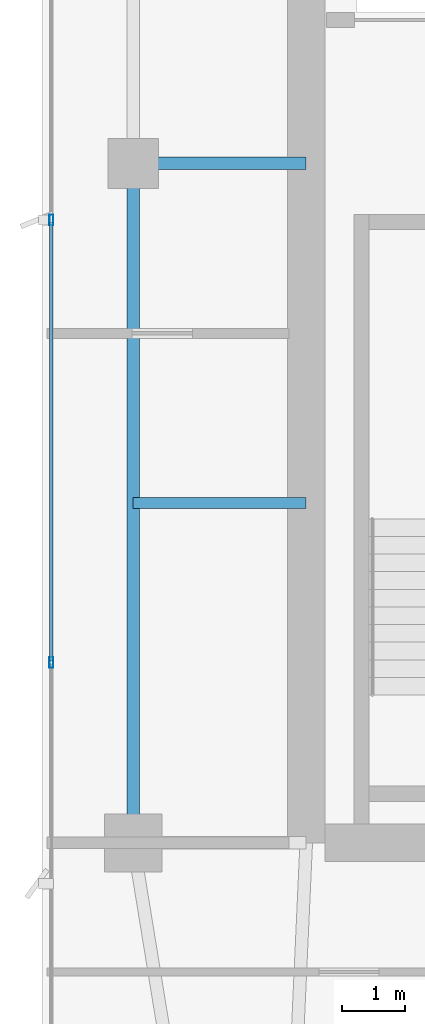
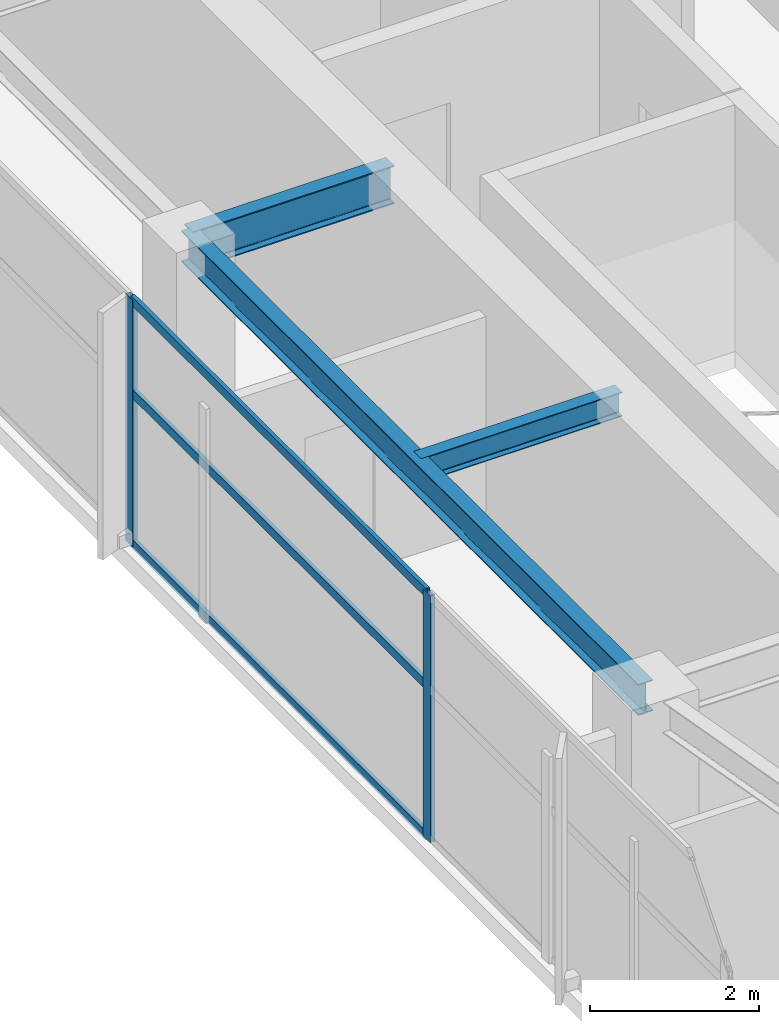
# One storey, part 10 of 27: 5 members, 3 beams, 1 element without a shape of its own.
"""IFC4 building model written with IfcOpenShell, lengths in metres."""

from ifc_helpers import new_model, si_unit, direction, frame, origin, origin_2d, place, context, subcontext, project, spatial, hollow_rectangle, i_section, extrude, material, layer, layer_set, material_profile, profile_set, type_object, element, aggregate, save


model = new_model("IFC4")

# Units and contexts
model_context = context("Model", 3, precision=1e-05, world=origin(), true_north=direction((0.0, 1.0)))
body_context = subcontext(model_context, "Body", "Model", "MODEL_VIEW")
ifc_project = project(units=[si_unit("LENGTHUNIT", "METRE"), si_unit("AREAUNIT", "SQUARE_METRE"), si_unit("VOLUMEUNIT", "CUBIC_METRE"), si_unit("PLANEANGLEUNIT", "RADIAN"), si_unit("MASSUNIT", "GRAM", prefix="KILO")], contexts=[model_context])

# Site, building, storey
site_placement = place(None, origin())
site = spatial("IfcSite", under=ifc_project, at=site_placement, CompositionType="ELEMENT")
building_placement = place(site_placement, origin())
building = spatial("IfcBuilding", under=site, at=building_placement, Name="Calvorn Quay Hotel", CompositionType="ELEMENT")
storey_placement = place(building_placement, frame((0.0, 0.0, 298.699951171875)))
storey = spatial("IfcBuildingStorey", under=building, at=storey_placement, Name="L74", CompositionType="ELEMENT", Elevation=298.699951171875)

# Beams
ifc_material_1 = material(Name="Steel Q355B", Category="steel")
ifc_material_profile_1 = material_profile(ifc_material_1, i_section(OverallWidth=0.199951171875, OverallDepth=0.550048828125, WebThickness=0.010009765625, FlangeThickness=0.01611328125, FilletRadius=0.01806640625, at=origin_2d()), Name="HN550x200x10x16")
ifc_profile_set_1 = profile_set([ifc_material_profile_1], Name="Steel Q355B")
beam_type_1 = type_object("IfcBeamType", Name="BM-GIRD-UPP", PredefinedType="BEAM", material=ifc_profile_set_1)
beam_1_placement = place(storey_placement, frame((1.449951171875, 27.60009765625, 3.26513671875), z_axis=(1.0, 0.0, 0.0), x_axis=(0.0, 1.0, 0.0)))
element("IfcBeam", 1, at=beam_1_placement, inside=storey, type_object=beam_type_1, Name="Beam BG-L74-W2", PredefinedType="BEAM", context=body_context, shape_type="SweptSolid", body=[
    extrude(i_section(OverallWidth=0.199951171875, OverallDepth=0.550048828125, WebThickness=0.010009765625, FlangeThickness=0.01611328125, FilletRadius=0.01806640625, at=origin_2d()), origin(), (0.0, 0.0, 1.0), 2.75),
])
ifc_material_2 = material(Name="Steel Q355B", Category="steel")
ifc_material_profile_2 = material_profile(ifc_material_2, i_section(OverallWidth=0.175048828125, OverallDepth=0.35009765625, WebThickness=0.007080078125, FlangeThickness=0.010986328125, FilletRadius=0.013916015625, at=origin_2d()), Name="HN350x175x7x11")
ifc_profile_set_2 = profile_set([ifc_material_profile_2], Name="Steel Q355B")
beam_type_2 = type_object("IfcBeamType", Name="BM-JOIST-SEC", PredefinedType="JOIST", material=ifc_profile_set_2)
beam_2_placement = place(storey_placement, frame((1.449951171875, 22.199951171875, 3.364990234375), z_axis=(1.0, 0.0, 0.0), x_axis=(0.0, 1.0, 0.0)))
element("IfcBeam", 2, at=beam_2_placement, inside=storey, type_object=beam_type_2, Name="Beam BJ-L74-W3", PredefinedType="JOIST", context=body_context, shape_type="SweptSolid", body=[
    extrude(i_section(OverallWidth=0.175048828125, OverallDepth=0.35009765625, WebThickness=0.007080078125, FlangeThickness=0.010986328125, FilletRadius=0.013916015625, at=origin_2d()), origin(), (0.0, 0.0, 1.0), 2.75),
])
ifc_material_3 = material(Name="Steel Q355B", Category="steel")
ifc_material_profile_3 = material_profile(ifc_material_3, i_section(OverallWidth=0.199951171875, OverallDepth=0.449951171875, WebThickness=0.009033203125, FlangeThickness=0.013916015625, FilletRadius=0.01611328125, at=origin_2d()), Name="HN450x200x9x14")
ifc_profile_set_3 = profile_set([ifc_material_profile_3], Name="Steel Q355B")
beam_type_3 = type_object("IfcBeamType", Name="BM-SPANDREL-Z3", PredefinedType="SPANDREL", material=ifc_profile_set_3)
beam_3_placement = place(storey_placement, frame((1.449951171875, 16.800048828125, 3.31494140625), z_axis=(0.0, 1.0, 0.0), x_axis=(-1.0, 0.0, 0.0)))
element("IfcBeam", 3, at=beam_3_placement, inside=storey, type_object=beam_type_3, Name="Beam BSP-L74-W2", PredefinedType="SPANDREL", context=body_context, shape_type="SweptSolid", body=[
    extrude(i_section(OverallWidth=0.199951171875, OverallDepth=0.449951171875, WebThickness=0.009033203125, FlangeThickness=0.013916015625, FilletRadius=0.01611328125, at=origin_2d()), origin(), (0.0, 0.0, 1.0), 10.800048828125),
])

# Curtain wall, members
ifc_material_4 = material(Name="Champagne Bronze Anodised Aluminium and Low-E Glass", Category="aluminium")
ifc_layer = layer(ifc_material_4, 0.219970703125)
ifc_layer_set = layer_set([ifc_layer], Name="CW-SYS-Z4")
curtain_wall_type = type_object("IfcCurtainWallType", Name="CW-SYS-Z4", PredefinedType="NOTDEFINED", material=ifc_layer_set)
curtain_wall_placement = place(storey_placement, origin())
curtain_wall = element("IfcCurtainWall", 4, at=curtain_wall_placement, inside=storey, type_object=curtain_wall_type, Name="Tower West Curtain Wall (L74)", PredefinedType="NOTDEFINED")
ifc_material_5 = material(Name="Champagne Bronze Anodised Aluminium 6063-T6", Category="aluminium")
ifc_material_profile_4 = material_profile(ifc_material_5, hollow_rectangle(XDim=0.06494140625, YDim=0.169921875, WallThickness=0.00341796875, at=origin_2d()), Name="ALU-M170x65x3.5")
ifc_profile_set_4 = profile_set([ifc_material_profile_4], Name="Champagne Bronze Anodised Aluminium 6063-T6")
member_type_1 = type_object("IfcMemberType", Name="CW-SYS-Z4-MUL", PredefinedType="MULLION", material=ifc_profile_set_4)
member_1_placement = place(storey_placement, frame((0.14990234375, 19.666748046875, 0.0), z_axis=(0.0, 0.0, 1.0), x_axis=(-1.0, 0.0, 0.0)))
member_1 = element("IfcMember", 5, at=member_1_placement, type_object=member_type_1, Name="CW-L74-W mullion 3", PredefinedType="MULLION", context=body_context, shape_type="SweptSolid", body=[
    extrude(hollow_rectangle(XDim=0.06494140625, YDim=0.169921875, WallThickness=0.00341796875, at=origin_2d()), origin(), (0.0, 0.0, 1.0), 3.56005859375),
])
member_2_placement = place(storey_placement, frame((0.14990234375, 26.699951171875, 0.0), z_axis=(0.0, 0.0, 1.0), x_axis=(-1.0, 0.0, 0.0)))
member_2 = element("IfcMember", 6, at=member_2_placement, type_object=member_type_1, Name="CW-L74-W mullion 4", PredefinedType="MULLION", context=body_context, shape_type="SweptSolid", body=[
    extrude(hollow_rectangle(XDim=0.06494140625, YDim=0.169921875, WallThickness=0.00341796875, at=origin_2d()), origin(), (0.0, 0.0, 1.0), 3.56005859375),
])
ifc_material_6 = material(Name="Champagne Bronze Anodised Aluminium 6063-T6", Category="aluminium")
ifc_material_profile_5 = material_profile(ifc_material_6, hollow_rectangle(XDim=0.054931640625, YDim=0.1298828125, WallThickness=0.003173828125, at=origin_2d()), Name="ALU-T130x55x3.2")
ifc_profile_set_5 = profile_set([ifc_material_profile_5], Name="Champagne Bronze Anodised Aluminium 6063-T6")
member_type_2 = type_object("IfcMemberType", Name="CW-SYS-Z4-TRN", PredefinedType="USERDEFINED", material=ifc_profile_set_5)
member_3_placement = place(storey_placement, frame((0.14990234375, 19.69677734375, 0.030029296875), z_axis=(0.0, 1.0, 0.0), x_axis=(-1.0, 0.0, 0.0)))
member_3 = element("IfcMember", 7, at=member_3_placement, type_object=member_type_2, Name="CW-L74-W transom 3.1", ObjectType="TRANSOM", PredefinedType="USERDEFINED", context=body_context, shape_type="SweptSolid", body=[
    extrude(hollow_rectangle(XDim=0.054931640625, YDim=0.1298828125, WallThickness=0.003173828125, at=origin_2d()), origin(), (0.0, 0.0, 1.0), 6.97314453125),
])
member_4_placement = place(storey_placement, frame((0.14990234375, 19.69677734375, 2.199951171875), z_axis=(0.0, 1.0, 0.0), x_axis=(-1.0, 0.0, 0.0)))
member_4 = element("IfcMember", 8, at=member_4_placement, type_object=member_type_2, Name="CW-L74-W transom 3.2", ObjectType="TRANSOM", PredefinedType="USERDEFINED", context=body_context, shape_type="SweptSolid", body=[
    extrude(hollow_rectangle(XDim=0.054931640625, YDim=0.1298828125, WallThickness=0.003173828125, at=origin_2d()), origin(), (0.0, 0.0, 1.0), 6.97314453125),
])
member_5_placement = place(storey_placement, frame((0.14990234375, 19.69677734375, 3.530029296875), z_axis=(0.0, 1.0, 0.0), x_axis=(-1.0, 0.0, 0.0)))
member_5 = element("IfcMember", 9, at=member_5_placement, type_object=member_type_2, Name="CW-L74-W transom 3.3", ObjectType="TRANSOM", PredefinedType="USERDEFINED", context=body_context, shape_type="SweptSolid", body=[
    extrude(hollow_rectangle(XDim=0.054931640625, YDim=0.1298828125, WallThickness=0.003173828125, at=origin_2d()), origin(), (0.0, 0.0, 1.0), 6.97314453125),
])
aggregate(curtain_wall, [member_1, member_2, member_3, member_4, member_5])

save(model, "model.ifc")
